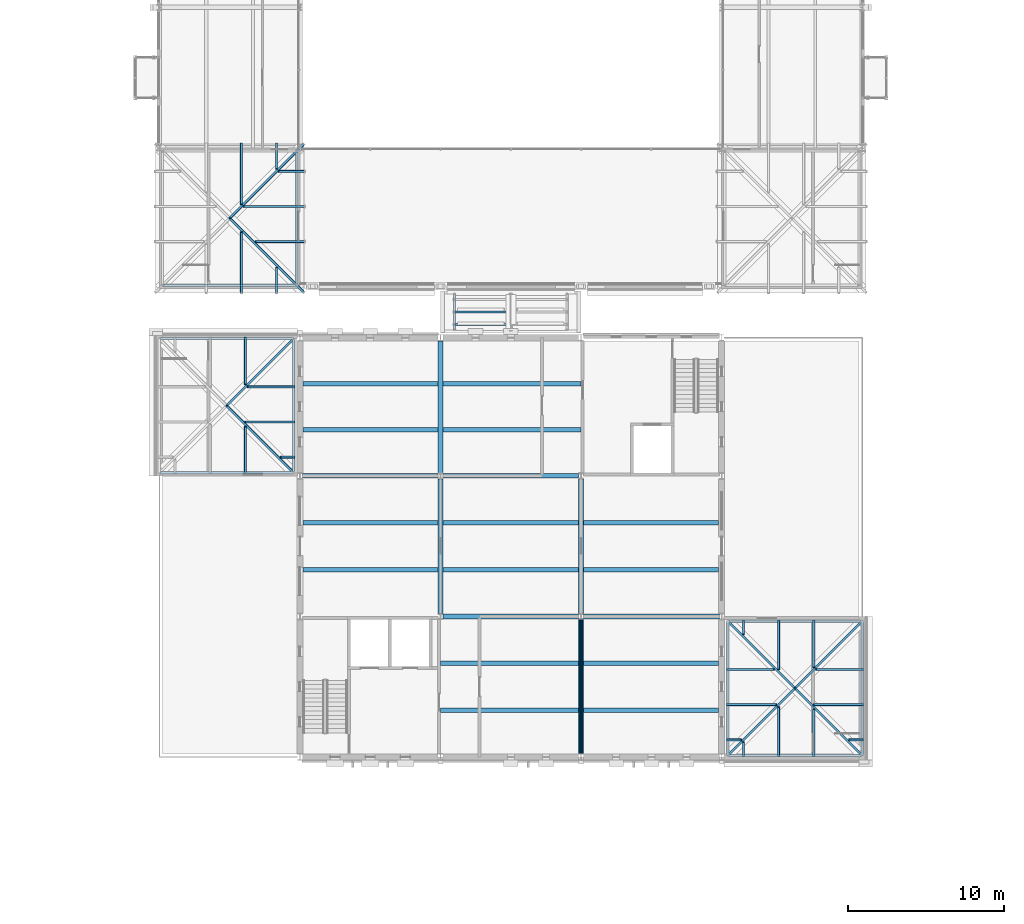
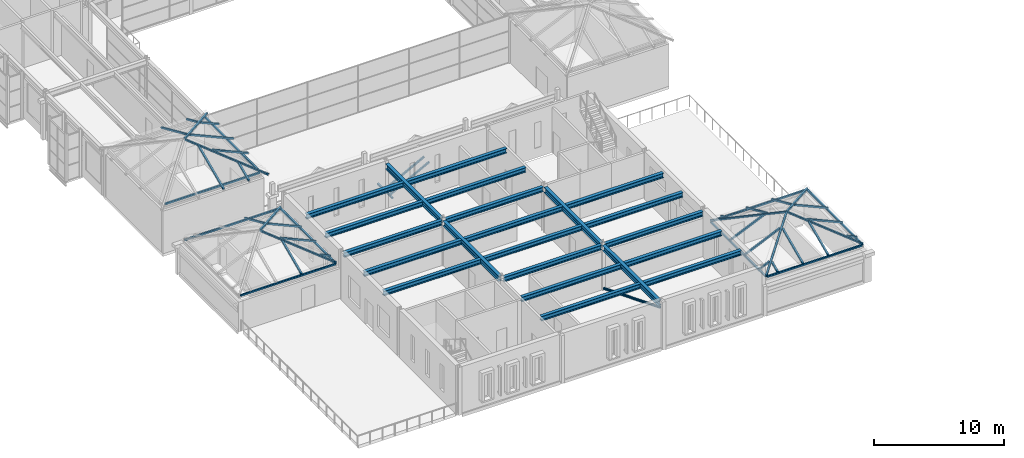
# One storey, part 17 of 149: 45 members, 22 beams.
"""IFC4 building model written with IfcOpenShell, lengths in metres."""

from ifc_helpers import new_model, si_unit, direction, frame, origin, origin_2d, place, context, subcontext, project, spatial, hollow_rectangle, hollow_circle, i_section, extrude, material, material_profile, profile_set, type_object, element, save


model = new_model("IFC4")

# Units and contexts
model_context = context("Model", 3, precision=1e-05, world=origin(), true_north=direction((0.0, 1.0)))
body_context = subcontext(model_context, "Body", "Model", "MODEL_VIEW")
ifc_project = project(units=[si_unit("LENGTHUNIT", "METRE"), si_unit("AREAUNIT", "SQUARE_METRE"), si_unit("VOLUMEUNIT", "CUBIC_METRE"), si_unit("PLANEANGLEUNIT", "RADIAN"), si_unit("MASSUNIT", "GRAM", prefix="KILO")], contexts=[model_context])

# Site, building, storey
site_placement = place(None, origin())
site = spatial("IfcSite", under=ifc_project, at=site_placement, CompositionType="ELEMENT")
building_placement = place(site_placement, origin())
building = spatial("IfcBuilding", under=site, at=building_placement, Name="Kallimachos Central Library", CompositionType="ELEMENT")
storey_placement = place(building_placement, frame((0.0, 0.0, 9.89990234375)))
storey = spatial("IfcBuildingStorey", under=building, at=storey_placement, Name="L02", CompositionType="ELEMENT", Elevation=9.89990234375)

# Member
ifc_material_1 = material(Name="Steel S355J2H", Category="steel")
ifc_material_profile_1 = material_profile(ifc_material_1, hollow_circle(Radius=0.109619140625, WallThickness=0.012451171875, at=origin_2d()), Name="CHS 219.1x12.5")
ifc_profile_set_1 = profile_set([ifc_material_profile_1], Name="Steel S355J2H")
member_type_1 = type_object("IfcMemberType", Name="CHS 219.1x12.5 brace", PredefinedType="BRACE", material=ifc_profile_set_1)
member_1_placement = place(storey_placement, frame((92.5, 26.8115234375, 0.150146484375), z_axis=(0.0, -0.928278728092, 0.371885201334), x_axis=(1.0, 0.0, 0.0)))
element("IfcMember", 1, at=member_1_placement, inside=storey, type_object=member_type_1, Name="V5-MEM-L02-041", PredefinedType="BRACE", context=body_context, shape_type="SweptSolid", body=[
    extrude(hollow_circle(Radius=0.109619140625, WallThickness=0.012451171875, at=origin_2d()), origin(), (0.0, 0.0, 1.0), 9.27685546875),
])

# Beams
ifc_material_2 = material(Name="Steel S355J2", Category="steel")
ifc_material_profile_2 = material_profile(ifc_material_2, i_section(OverallWidth=0.300048828125, OverallDepth=0.43994140625, WebThickness=0.011474609375, FlangeThickness=0.02099609375, FilletRadius=0.027099609375, at=origin_2d()), Name="HEA 450")
ifc_profile_set_2 = profile_set([ifc_material_profile_2], Name="Steel S355J2")
beam_type_1 = type_object("IfcBeamType", Name="HEA 450 beam", PredefinedType="BEAM", material=ifc_profile_set_2)
beam_1_placement = place(storey_placement, frame((83.654541015625, 27.0, 4.030029296875), z_axis=(1.0, 0.0, 0.0), x_axis=(0.0, 1.0, 0.0)))
element("IfcBeam", 2, at=beam_1_placement, inside=storey, type_object=beam_type_1, Name="V5-BEM-L02-001", PredefinedType="BEAM", context=body_context, shape_type="SweptSolid", body=[
    extrude(i_section(OverallWidth=0.300048828125, OverallDepth=0.43994140625, WebThickness=0.011474609375, FlangeThickness=0.02099609375, FilletRadius=0.027099609375, at=origin_2d()), origin(), (0.0, 0.0, 1.0), 8.69091796875),
])
for number, where, z_axis, x_axis, name in (
    (3, (92.654541015625, 27.0, 4.030029296875), (1.0, 0.0, 0.0), (0.0, 1.0, 0.0), "V5-BEM-L02-002"),
    (4, (74.64990234375, 36.0, 4.030029296875), (1.0, 0.0, 0.0), (0.0, 1.0, 0.0), "V5-BEM-L02-003"),
):
    element("IfcBeam", number, at=place(storey_placement, frame(where, z_axis=z_axis, x_axis=x_axis)), inside=storey, type_object=beam_type_1, Name=name, PredefinedType="BEAM", context=body_context, shape_type="SweptSolid", body=[
        extrude(i_section(OverallWidth=0.300048828125, OverallDepth=0.43994140625, WebThickness=0.011474609375, FlangeThickness=0.02099609375, FilletRadius=0.027099609375, at=origin_2d()), origin(), (0.0, 0.0, 1.0), 8.695556640625),
    ])
beam_2_placement = place(storey_placement, frame((83.654541015625, 36.0, 4.030029296875), z_axis=(1.0, 0.0, 0.0), x_axis=(0.0, 1.0, 0.0)))
element("IfcBeam", 5, at=beam_2_placement, inside=storey, type_object=beam_type_1, Name="V5-BEM-L02-004", PredefinedType="BEAM", context=body_context, shape_type="SweptSolid", body=[
    extrude(i_section(OverallWidth=0.300048828125, OverallDepth=0.43994140625, WebThickness=0.011474609375, FlangeThickness=0.02099609375, FilletRadius=0.027099609375, at=origin_2d()), origin(), (0.0, 0.0, 1.0), 8.69091796875),
])
for number, where, z_axis, x_axis, name in (
    (6, (74.699951171875, 30.0, 4.030029296875), (1.0, 0.0, 0.0), (0.0, 1.0, 0.0), "V5-BEM-L02-009"),
    (7, (74.699951171875, 33.0, 4.030029296875), (1.0, 0.0, 0.0), (0.0, 1.0, 0.0), "V5-BEM-L02-010"),
    (8, (74.699951171875, 38.949951171875, 4.030029296875), (1.0, 0.0, 0.0), (0.0, 1.0, 0.0), "V5-BEM-L02-011"),
    (9, (74.699951171875, 41.89990234375, 4.030029296875), (1.0, 0.0, 0.0), (0.0, 1.0, 0.0), "V5-BEM-L02-012"),
):
    element("IfcBeam", number, at=place(storey_placement, frame(where, z_axis=z_axis, x_axis=x_axis)), inside=storey, type_object=beam_type_1, Name=name, PredefinedType="BEAM", context=body_context, shape_type="SweptSolid", body=[
        extrude(i_section(OverallWidth=0.300048828125, OverallDepth=0.43994140625, WebThickness=0.011474609375, FlangeThickness=0.02099609375, FilletRadius=0.027099609375, at=origin_2d()), origin(), (0.0, 0.0, 1.0), 8.650146484375),
    ])
for number, where, z_axis, x_axis, name in (
    (10, (83.5, 21.0, 4.030029296875), (1.0, 0.0, 0.0), (0.0, 1.0, 0.0), "V5-BEM-L02-013"),
    (11, (83.5, 24.0, 4.030029296875), (1.0, 0.0, 0.0), (0.0, 1.0, 0.0), "V5-BEM-L02-014"),
):
    element("IfcBeam", number, at=place(storey_placement, frame(where, z_axis=z_axis, x_axis=x_axis)), inside=storey, type_object=beam_type_1, Name=name, PredefinedType="BEAM", context=body_context, shape_type="SweptSolid", body=[
        extrude(i_section(OverallWidth=0.300048828125, OverallDepth=0.43994140625, WebThickness=0.011474609375, FlangeThickness=0.02099609375, FilletRadius=0.027099609375, at=origin_2d()), origin(), (0.0, 0.0, 1.0), 8.85009765625),
    ])
for number, where, z_axis, x_axis, name in (
    (12, (83.64990234375, 30.0, 4.030029296875), (1.0, 0.0, 0.0), (0.0, 1.0, 0.0), "V5-BEM-L02-015"),
    (13, (83.64990234375, 33.0, 4.030029296875), (1.0, 0.0, 0.0), (0.0, 1.0, 0.0), "V5-BEM-L02-016"),
):
    element("IfcBeam", number, at=place(storey_placement, frame(where, z_axis=z_axis, x_axis=x_axis)), inside=storey, type_object=beam_type_1, Name=name, PredefinedType="BEAM", context=body_context, shape_type="SweptSolid", body=[
        extrude(i_section(OverallWidth=0.300048828125, OverallDepth=0.43994140625, WebThickness=0.011474609375, FlangeThickness=0.02099609375, FilletRadius=0.027099609375, at=origin_2d()), origin(), (0.0, 0.0, 1.0), 8.7001953125),
    ])
for number, where, z_axis, x_axis, name in (
    (14, (83.64990234375, 38.949951171875, 4.030029296875), (1.0, 0.0, 0.0), (0.0, 1.0, 0.0), "V5-BEM-L02-017"),
    (15, (83.64990234375, 41.89990234375, 4.030029296875), (1.0, 0.0, 0.0), (0.0, 1.0, 0.0), "V5-BEM-L02-018"),
):
    element("IfcBeam", number, at=place(storey_placement, frame(where, z_axis=z_axis, x_axis=x_axis)), inside=storey, type_object=beam_type_1, Name=name, PredefinedType="BEAM", context=body_context, shape_type="SweptSolid", body=[
        extrude(i_section(OverallWidth=0.300048828125, OverallDepth=0.43994140625, WebThickness=0.011474609375, FlangeThickness=0.02099609375, FilletRadius=0.027099609375, at=origin_2d()), origin(), (0.0, 0.0, 1.0), 8.85009765625),
    ])
for number, where, z_axis, x_axis, name in (
    (16, (92.64990234375, 21.0, 4.030029296875), (1.0, 0.0, 0.0), (0.0, 1.0, 0.0), "V5-BEM-L02-019"),
    (17, (92.64990234375, 24.0, 4.030029296875), (1.0, 0.0, 0.0), (0.0, 1.0, 0.0), "V5-BEM-L02-020"),
    (18, (92.64990234375, 30.0, 4.030029296875), (1.0, 0.0, 0.0), (0.0, 1.0, 0.0), "V5-BEM-L02-021"),
    (19, (92.64990234375, 33.0, 4.030029296875), (1.0, 0.0, 0.0), (0.0, 1.0, 0.0), "V5-BEM-L02-022"),
):
    element("IfcBeam", number, at=place(storey_placement, frame(where, z_axis=z_axis, x_axis=x_axis)), inside=storey, type_object=beam_type_1, Name=name, PredefinedType="BEAM", context=body_context, shape_type="SweptSolid", body=[
        extrude(i_section(OverallWidth=0.300048828125, OverallDepth=0.43994140625, WebThickness=0.011474609375, FlangeThickness=0.02099609375, FilletRadius=0.027099609375, at=origin_2d()), origin(), (0.0, 0.0, 1.0), 8.650146484375),
    ])
ifc_material_3 = material(Name="Steel S355J2", Category="steel")
ifc_material_profile_3 = material_profile(ifc_material_3, i_section(OverallWidth=0.300048828125, OverallDepth=0.5, WebThickness=0.014404296875, FlangeThickness=0.028076171875, FilletRadius=0.027099609375, at=origin_2d()), Name="HEB 500")
ifc_profile_set_3 = profile_set([ifc_material_profile_3], Name="Steel S355J2")
beam_type_2 = type_object("IfcBeamType", Name="HEB 500 beam", PredefinedType="BEAM", material=ifc_profile_set_3)
beam_3_placement = place(storey_placement, frame((83.5, 27.1884765625, 4.0), z_axis=(0.0, 1.0, 0.0), x_axis=(-1.0, 0.0, 0.0)))
element("IfcBeam", 20, at=beam_3_placement, inside=storey, type_object=beam_type_2, Name="V5-BEM-L02-005", PredefinedType="BEAM", context=body_context, shape_type="SweptSolid", body=[
    extrude(i_section(OverallWidth=0.300048828125, OverallDepth=0.5, WebThickness=0.014404296875, FlangeThickness=0.028076171875, FilletRadius=0.027099609375, at=origin_2d()), origin(), (0.0, 0.0, 1.0), 8.623046875),
])
beam_4_placement = place(storey_placement, frame((83.5, 36.1884765625, 4.0), z_axis=(0.0, 1.0, 0.0), x_axis=(-1.0, 0.0, 0.0)))
element("IfcBeam", 21, at=beam_4_placement, inside=storey, type_object=beam_type_2, Name="V5-BEM-L02-006", PredefinedType="BEAM", context=body_context, shape_type="SweptSolid", body=[
    extrude(i_section(OverallWidth=0.300048828125, OverallDepth=0.5, WebThickness=0.014404296875, FlangeThickness=0.028076171875, FilletRadius=0.027099609375, at=origin_2d()), origin(), (0.0, 0.0, 1.0), 8.46142578125),
])
beam_5_placement = place(storey_placement, frame((92.5, 18.199951171875, 4.0), z_axis=(0.0, 1.0, 0.0), x_axis=(-1.0, 0.0, 0.0)))
element("IfcBeam", 22, at=beam_5_placement, inside=storey, type_object=beam_type_2, Name="V5-BEM-L02-007", PredefinedType="BEAM", context=body_context, shape_type="SweptSolid", body=[
    extrude(i_section(OverallWidth=0.300048828125, OverallDepth=0.5, WebThickness=0.014404296875, FlangeThickness=0.028076171875, FilletRadius=0.027099609375, at=origin_2d()), origin(), (0.0, 0.0, 1.0), 8.611572265625),
])
beam_6_placement = place(storey_placement, frame((92.5, 27.1884765625, 4.0), z_axis=(0.0, 1.0, 0.0), x_axis=(-1.0, 0.0, 0.0)))
element("IfcBeam", 23, at=beam_6_placement, inside=storey, type_object=beam_type_2, Name="V5-BEM-L02-008", PredefinedType="BEAM", context=body_context, shape_type="SweptSolid", body=[
    extrude(i_section(OverallWidth=0.300048828125, OverallDepth=0.5, WebThickness=0.014404296875, FlangeThickness=0.028076171875, FilletRadius=0.027099609375, at=origin_2d()), origin(), (0.0, 0.0, 1.0), 8.623046875),
])

# Members
ifc_material_4 = material(Name="Steel S355J2H", Category="steel")
ifc_material_profile_4 = material_profile(ifc_material_4, hollow_rectangle(XDim=0.14990234375, YDim=0.14990234375, WallThickness=0.010009765625, InnerFilletRadius=0.010009765625, OuterFilletRadius=0.014892578125, at=origin_2d()), Name="SHS 150x150x10")
ifc_profile_set_4 = profile_set([ifc_material_profile_4], Name="Steel S355J2H")
member_type_2 = type_object("IfcMemberType", Name="SHS 150x150x10 eaves bearer", PredefinedType="STRINGER", material=ifc_profile_set_4)
for number, where, z_axis, x_axis, name in (
    (24, (65.574951171875, 36.199951171875, 3.22509765625), (1.0, 0.0, 0.0), (0.0, 1.0, 0.0), "West stair hipped roof eaves bearer S"),
    (25, (65.574951171875, 44.800048828125, 3.22509765625), (1.0, 0.0, 0.0), (0.0, 1.0, 0.0), "West stair hipped roof eaves bearer N"),
):
    element("IfcMember", number, at=place(storey_placement, frame(where, z_axis=z_axis, x_axis=x_axis)), inside=storey, type_object=member_type_2, Name=name, PredefinedType="STRINGER", context=body_context, shape_type="SweptSolid", body=[
        extrude(hollow_rectangle(XDim=0.14990234375, YDim=0.14990234375, WallThickness=0.010009765625, InnerFilletRadius=0.010009765625, OuterFilletRadius=0.014892578125, at=origin_2d()), origin(), (0.0, 0.0, 1.0), 8.449951171875),
    ])
member_2_placement = place(storey_placement, frame((74.10009765625, 36.27490234375, 3.22509765625), z_axis=(0.0, 1.0, 0.0), x_axis=(-1.0, 0.0, 0.0)))
element("IfcMember", 26, at=member_2_placement, inside=storey, type_object=member_type_2, Name="West stair hipped roof eaves bearer E", PredefinedType="STRINGER", context=body_context, shape_type="SweptSolid", body=[
    extrude(hollow_rectangle(XDim=0.14990234375, YDim=0.14990234375, WallThickness=0.010009765625, InnerFilletRadius=0.010009765625, OuterFilletRadius=0.014892578125, at=origin_2d()), origin(), (0.0, 0.0, 1.0), 8.4501953125),
])
for number, where, z_axis, x_axis, name in (
    (27, (101.97509765625, 18.10009765625, 3.22509765625), (1.0, 0.0, 0.0), (0.0, 1.0, 0.0), "East stair hipped roof eaves bearer S"),
    (28, (101.97509765625, 26.699951171875, 3.22509765625), (1.0, 0.0, 0.0), (0.0, 1.0, 0.0), "East stair hipped roof eaves bearer N"),
    (29, (101.89990234375, 18.175048828125, 3.22509765625), (0.0, 1.0, 0.0), (-1.0, 0.0, 0.0), "East stair hipped roof eaves bearer W"),
    (30, (110.5, 18.175048828125, 3.22509765625), (0.0, 1.0, 0.0), (-1.0, 0.0, 0.0), "East stair hipped roof eaves bearer E"),
):
    element("IfcMember", number, at=place(storey_placement, frame(where, z_axis=z_axis, x_axis=x_axis)), inside=storey, type_object=member_type_2, Name=name, PredefinedType="STRINGER", context=body_context, shape_type="SweptSolid", body=[
        extrude(hollow_rectangle(XDim=0.14990234375, YDim=0.14990234375, WallThickness=0.010009765625, InnerFilletRadius=0.010009765625, OuterFilletRadius=0.014892578125, at=origin_2d()), origin(), (0.0, 0.0, 1.0), 8.449951171875),
    ])
for number, where, z_axis, x_axis, name in (
    (31, (65.77490234375, 48.199951171875, 4.47509765625), (1.0, 0.0, 0.0), (0.0, 1.0, 0.0), "Head-house roof V4-SW eaves bearer S"),
    (32, (74.300048828125, 48.27490234375, 4.47509765625), (0.0, 1.0, 0.0), (-1.0, 0.0, 0.0), "Head-house roof V4-SW eaves bearer E"),
):
    element("IfcMember", number, at=place(storey_placement, frame(where, z_axis=z_axis, x_axis=x_axis)), inside=storey, type_object=member_type_2, Name=name, PredefinedType="STRINGER", context=body_context, shape_type="SweptSolid", body=[
        extrude(hollow_rectangle(XDim=0.14990234375, YDim=0.14990234375, WallThickness=0.010009765625, InnerFilletRadius=0.010009765625, OuterFilletRadius=0.014892578125, at=origin_2d()), origin(), (0.0, 0.0, 1.0), 8.4501953125),
    ])
member_3_placement = place(storey_placement, frame((84.39990234375, 45.375, 0.22509765625), z_axis=(0.0, 1.0, 0.0), x_axis=(-1.0, 0.0, 0.0)))
element("IfcMember", 33, at=member_3_placement, inside=storey, type_object=member_type_2, Name="Stacks Link roof eaves bearer W", PredefinedType="STRINGER", context=body_context, shape_type="SweptSolid", body=[
    extrude(hollow_rectangle(XDim=0.14990234375, YDim=0.14990234375, WallThickness=0.010009765625, InnerFilletRadius=0.010009765625, OuterFilletRadius=0.014892578125, at=origin_2d()), origin(), (0.0, 0.0, 1.0), 2.25),
])
ifc_material_5 = material(Name="Steel S355J2H", Category="steel")
ifc_material_profile_5 = material_profile(ifc_material_5, hollow_rectangle(XDim=0.14990234375, YDim=0.14990234375, WallThickness=0.010009765625, InnerFilletRadius=0.010009765625, OuterFilletRadius=0.014892578125, at=origin_2d()), Name="SHS 150x150x10")
ifc_profile_set_5 = profile_set([ifc_material_profile_5], Name="Steel S355J2H")
member_type_3 = type_object("IfcMemberType", Name="SHS 150x150x10 rafter", PredefinedType="RAFTER", material=ifc_profile_set_5)
for number, where, z_axis, x_axis, name in (
    (34, (71.0, 36.14990234375, 3.35986328125), (0.0, 0.913551637558, 0.406722762475), (-1.0, 0.0, 0.0), "West stair hipped roof rafter"),
    (35, (71.0, 44.85009765625, 3.35986328125), (0.0, -0.913551637558, 0.406722762475), (1.0, 0.0, 0.0), "West stair hipped roof rafter"),
):
    element("IfcMember", number, at=place(storey_placement, frame(where, z_axis=z_axis, x_axis=x_axis)), inside=storey, type_object=member_type_3, Name=name, PredefinedType="RAFTER", context=body_context, shape_type="SweptSolid", body=[
        extrude(hollow_rectangle(XDim=0.14990234375, YDim=0.14990234375, WallThickness=0.010009765625, InnerFilletRadius=0.010009765625, OuterFilletRadius=0.014892578125, at=origin_2d()), origin(), (0.0, 0.0, 1.0), 3.294921875),
    ])
member_4_placement = place(storey_placement, frame((74.14990234375, 37.199951171875, 3.35986328125), z_axis=(-0.913487827885, 0.0, 0.40686605696), x_axis=(0.0, -1.0, 0.0)))
element("IfcMember", 36, at=member_4_placement, inside=storey, type_object=member_type_3, Name="West stair hipped roof rafter", PredefinedType="RAFTER", context=body_context, shape_type="SweptSolid", body=[
    extrude(hollow_rectangle(XDim=0.14990234375, YDim=0.14990234375, WallThickness=0.010009765625, InnerFilletRadius=0.010009765625, OuterFilletRadius=0.014892578125, at=origin_2d()), origin(), (0.0, 0.0, 1.0), 0.99609375),
])
member_5_placement = place(storey_placement, frame((74.14990234375, 39.449951171875, 3.35986328125), z_axis=(-0.913534832457, 0.0, 0.406760506795), x_axis=(0.0, -1.0, 0.0)))
element("IfcMember", 37, at=member_5_placement, inside=storey, type_object=member_type_3, Name="West stair hipped roof rafter", PredefinedType="RAFTER", context=body_context, shape_type="SweptSolid", body=[
    extrude(hollow_rectangle(XDim=0.14990234375, YDim=0.14990234375, WallThickness=0.010009765625, InnerFilletRadius=0.010009765625, OuterFilletRadius=0.014892578125, at=origin_2d()), origin(), (0.0, 0.0, 1.0), 3.458984375),
])
member_6_placement = place(storey_placement, frame((74.14990234375, 41.699951171875, 3.35986328125), z_axis=(-0.913551637558, 0.0, 0.406722762475), x_axis=(0.0, -1.0, 0.0)))
element("IfcMember", 38, at=member_6_placement, inside=storey, type_object=member_type_3, Name="West stair hipped roof rafter", PredefinedType="RAFTER", context=body_context, shape_type="SweptSolid", body=[
    extrude(hollow_rectangle(XDim=0.14990234375, YDim=0.14990234375, WallThickness=0.010009765625, InnerFilletRadius=0.010009765625, OuterFilletRadius=0.014892578125, at=origin_2d()), origin(), (0.0, 0.0, 1.0), 3.294921875),
])
member_7_placement = place(storey_placement, frame((102.89990234375, 18.050048828125, 3.35986328125), z_axis=(0.0, 0.913487827885, 0.40686605696), x_axis=(-1.0, 0.0, 0.0)))
element("IfcMember", 39, at=member_7_placement, inside=storey, type_object=member_type_3, Name="East stair hipped roof rafter", PredefinedType="RAFTER", context=body_context, shape_type="SweptSolid", body=[
    extrude(hollow_rectangle(XDim=0.14990234375, YDim=0.14990234375, WallThickness=0.010009765625, InnerFilletRadius=0.010009765625, OuterFilletRadius=0.014892578125, at=origin_2d()), origin(), (0.0, 0.0, 1.0), 0.99609375),
])
member_8_placement = place(storey_placement, frame((105.14990234375, 18.050048828125, 3.35986328125), z_axis=(0.0, 0.913534832457, 0.406760506795), x_axis=(-1.0, 0.0, 0.0)))
element("IfcMember", 40, at=member_8_placement, inside=storey, type_object=member_type_3, Name="East stair hipped roof rafter", PredefinedType="RAFTER", context=body_context, shape_type="SweptSolid", body=[
    extrude(hollow_rectangle(XDim=0.14990234375, YDim=0.14990234375, WallThickness=0.010009765625, InnerFilletRadius=0.010009765625, OuterFilletRadius=0.014892578125, at=origin_2d()), origin(), (0.0, 0.0, 1.0), 3.458984375),
])
member_9_placement = place(storey_placement, frame((107.39990234375, 18.050048828125, 3.35986328125), z_axis=(0.0, 0.913551637558, 0.406722762475), x_axis=(-1.0, 0.0, 0.0)))
element("IfcMember", 41, at=member_9_placement, inside=storey, type_object=member_type_3, Name="East stair hipped roof rafter", PredefinedType="RAFTER", context=body_context, shape_type="SweptSolid", body=[
    extrude(hollow_rectangle(XDim=0.14990234375, YDim=0.14990234375, WallThickness=0.010009765625, InnerFilletRadius=0.010009765625, OuterFilletRadius=0.014892578125, at=origin_2d()), origin(), (0.0, 0.0, 1.0), 3.294921875),
])
member_10_placement = place(storey_placement, frame((102.89990234375, 26.75, 3.35986328125), z_axis=(0.0, -0.913487827885, 0.40686605696), x_axis=(1.0, 0.0, 0.0)))
element("IfcMember", 42, at=member_10_placement, inside=storey, type_object=member_type_3, Name="East stair hipped roof rafter", PredefinedType="RAFTER", context=body_context, shape_type="SweptSolid", body=[
    extrude(hollow_rectangle(XDim=0.14990234375, YDim=0.14990234375, WallThickness=0.010009765625, InnerFilletRadius=0.010009765625, OuterFilletRadius=0.014892578125, at=origin_2d()), origin(), (0.0, 0.0, 1.0), 0.99609375),
])
member_11_placement = place(storey_placement, frame((105.14990234375, 26.75, 3.35986328125), z_axis=(0.0, -0.913534832457, 0.406760506795), x_axis=(1.0, 0.0, 0.0)))
element("IfcMember", 43, at=member_11_placement, inside=storey, type_object=member_type_3, Name="East stair hipped roof rafter", PredefinedType="RAFTER", context=body_context, shape_type="SweptSolid", body=[
    extrude(hollow_rectangle(XDim=0.14990234375, YDim=0.14990234375, WallThickness=0.010009765625, InnerFilletRadius=0.010009765625, OuterFilletRadius=0.014892578125, at=origin_2d()), origin(), (0.0, 0.0, 1.0), 3.458984375),
])
member_12_placement = place(storey_placement, frame((107.39990234375, 26.75, 3.35986328125), z_axis=(0.0, -0.913551637558, 0.406722762475), x_axis=(1.0, 0.0, 0.0)))
element("IfcMember", 44, at=member_12_placement, inside=storey, type_object=member_type_3, Name="East stair hipped roof rafter", PredefinedType="RAFTER", context=body_context, shape_type="SweptSolid", body=[
    extrude(hollow_rectangle(XDim=0.14990234375, YDim=0.14990234375, WallThickness=0.010009765625, InnerFilletRadius=0.010009765625, OuterFilletRadius=0.014892578125, at=origin_2d()), origin(), (0.0, 0.0, 1.0), 3.294921875),
])
member_13_placement = place(storey_placement, frame((101.85009765625, 19.10009765625, 3.35986328125), z_axis=(0.913487827885, 0.0, 0.40686605696), x_axis=(0.0, 1.0, 0.0)))
element("IfcMember", 45, at=member_13_placement, inside=storey, type_object=member_type_3, Name="East stair hipped roof rafter", PredefinedType="RAFTER", context=body_context, shape_type="SweptSolid", body=[
    extrude(hollow_rectangle(XDim=0.14990234375, YDim=0.14990234375, WallThickness=0.010009765625, InnerFilletRadius=0.010009765625, OuterFilletRadius=0.014892578125, at=origin_2d()), origin(), (0.0, 0.0, 1.0), 0.99609375),
])
member_14_placement = place(storey_placement, frame((101.85009765625, 21.35009765625, 3.35986328125), z_axis=(0.913534832457, 0.0, 0.406760506795), x_axis=(0.0, 1.0, 0.0)))
element("IfcMember", 46, at=member_14_placement, inside=storey, type_object=member_type_3, Name="East stair hipped roof rafter", PredefinedType="RAFTER", context=body_context, shape_type="SweptSolid", body=[
    extrude(hollow_rectangle(XDim=0.14990234375, YDim=0.14990234375, WallThickness=0.010009765625, InnerFilletRadius=0.010009765625, OuterFilletRadius=0.014892578125, at=origin_2d()), origin(), (0.0, 0.0, 1.0), 3.458984375),
])
member_15_placement = place(storey_placement, frame((101.85009765625, 23.60009765625, 3.35986328125), z_axis=(0.913551637558, 0.0, 0.406722762475), x_axis=(0.0, 1.0, 0.0)))
element("IfcMember", 47, at=member_15_placement, inside=storey, type_object=member_type_3, Name="East stair hipped roof rafter", PredefinedType="RAFTER", context=body_context, shape_type="SweptSolid", body=[
    extrude(hollow_rectangle(XDim=0.14990234375, YDim=0.14990234375, WallThickness=0.010009765625, InnerFilletRadius=0.010009765625, OuterFilletRadius=0.014892578125, at=origin_2d()), origin(), (0.0, 0.0, 1.0), 3.294921875),
])
member_16_placement = place(storey_placement, frame((110.550048828125, 19.10009765625, 3.35986328125), z_axis=(-0.913528388119, 0.0, 0.406774979688), x_axis=(0.0, -1.0, 0.0)))
element("IfcMember", 48, at=member_16_placement, inside=storey, type_object=member_type_3, Name="East stair hipped roof rafter", PredefinedType="RAFTER", context=body_context, shape_type="SweptSolid", body=[
    extrude(hollow_rectangle(XDim=0.14990234375, YDim=0.14990234375, WallThickness=0.010009765625, InnerFilletRadius=0.010009765625, OuterFilletRadius=0.014892578125, at=origin_2d()), origin(), (0.0, 0.0, 1.0), 0.996337890625),
])
member_17_placement = place(storey_placement, frame((110.550048828125, 21.35009765625, 3.35986328125), z_axis=(-0.913546509307, 0.0, 0.40673428099), x_axis=(0.0, -1.0, 0.0)))
element("IfcMember", 49, at=member_17_placement, inside=storey, type_object=member_type_3, Name="East stair hipped roof rafter", PredefinedType="RAFTER", context=body_context, shape_type="SweptSolid", body=[
    extrude(hollow_rectangle(XDim=0.14990234375, YDim=0.14990234375, WallThickness=0.010009765625, InnerFilletRadius=0.010009765625, OuterFilletRadius=0.014892578125, at=origin_2d()), origin(), (0.0, 0.0, 1.0), 3.459228515625),
])
member_18_placement = place(storey_placement, frame((110.550048828125, 23.60009765625, 3.35986328125), z_axis=(-0.913551637558, 0.0, 0.406722762475), x_axis=(0.0, -1.0, 0.0)))
element("IfcMember", 50, at=member_18_placement, inside=storey, type_object=member_type_3, Name="East stair hipped roof rafter", PredefinedType="RAFTER", context=body_context, shape_type="SweptSolid", body=[
    extrude(hollow_rectangle(XDim=0.14990234375, YDim=0.14990234375, WallThickness=0.010009765625, InnerFilletRadius=0.010009765625, OuterFilletRadius=0.014892578125, at=origin_2d()), origin(), (0.0, 0.0, 1.0), 3.294921875),
])
member_19_placement = place(storey_placement, frame((70.75, 47.699951171875, 4.40966796875), z_axis=(0.0, 0.913562044368, 0.406699386635), x_axis=(-1.0, 0.0, 0.0)))
element("IfcMember", 51, at=member_19_placement, inside=storey, type_object=member_type_3, Name="Head-house roof V4-SW rafter", PredefinedType="RAFTER", context=body_context, shape_type="SweptSolid", body=[
    extrude(hollow_rectangle(XDim=0.14990234375, YDim=0.14990234375, WallThickness=0.010009765625, InnerFilletRadius=0.010009765625, OuterFilletRadius=0.014892578125, at=origin_2d()), origin(), (0.0, 0.0, 1.0), 4.280029296875),
])
member_20_placement = place(storey_placement, frame((73.0, 47.699951171875, 4.40966796875), z_axis=(0.0, 0.913573164334, 0.406674407123), x_axis=(-1.0, 0.0, 0.0)))
element("IfcMember", 52, at=member_20_placement, inside=storey, type_object=member_type_3, Name="Head-house roof V4-SW rafter", PredefinedType="RAFTER", context=body_context, shape_type="SweptSolid", body=[
    extrude(hollow_rectangle(XDim=0.14990234375, YDim=0.14990234375, WallThickness=0.010009765625, InnerFilletRadius=0.010009765625, OuterFilletRadius=0.014892578125, at=origin_2d()), origin(), (0.0, 0.0, 1.0), 1.817138671875),
])
member_21_placement = place(storey_placement, frame((70.75, 57.300048828125, 4.40966796875), z_axis=(0.0, -0.913562044368, 0.406699386635), x_axis=(1.0, 0.0, 0.0)))
element("IfcMember", 53, at=member_21_placement, inside=storey, type_object=member_type_3, Name="Head-house roof V4-SW rafter", PredefinedType="RAFTER", context=body_context, shape_type="SweptSolid", body=[
    extrude(hollow_rectangle(XDim=0.14990234375, YDim=0.14990234375, WallThickness=0.010009765625, InnerFilletRadius=0.010009765625, OuterFilletRadius=0.014892578125, at=origin_2d()), origin(), (0.0, 0.0, 1.0), 4.280029296875),
])
member_22_placement = place(storey_placement, frame((73.0, 57.300048828125, 4.40966796875), z_axis=(0.0, -0.913573164334, 0.406674407123), x_axis=(1.0, 0.0, 0.0)))
element("IfcMember", 54, at=member_22_placement, inside=storey, type_object=member_type_3, Name="Head-house roof V4-SW rafter", PredefinedType="RAFTER", context=body_context, shape_type="SweptSolid", body=[
    extrude(hollow_rectangle(XDim=0.14990234375, YDim=0.14990234375, WallThickness=0.010009765625, InnerFilletRadius=0.010009765625, OuterFilletRadius=0.014892578125, at=origin_2d()), origin(), (0.0, 0.0, 1.0), 1.817138671875),
])
member_23_placement = place(storey_placement, frame((74.800048828125, 51.0, 4.40966796875), z_axis=(-0.913572732443, 0.0, 0.406675377343), x_axis=(0.0, -1.0, 0.0)))
element("IfcMember", 55, at=member_23_placement, inside=storey, type_object=member_type_3, Name="Head-house roof V4-SW rafter", PredefinedType="RAFTER", context=body_context, shape_type="SweptSolid", body=[
    extrude(hollow_rectangle(XDim=0.14990234375, YDim=0.14990234375, WallThickness=0.010009765625, InnerFilletRadius=0.010009765625, OuterFilletRadius=0.014892578125, at=origin_2d()), origin(), (0.0, 0.0, 1.0), 3.459228515625),
])
member_24_placement = place(storey_placement, frame((74.800048828125, 53.25, 4.40966796875), z_axis=(-0.913562044368, 0.0, 0.406699386635), x_axis=(0.0, -1.0, 0.0)))
element("IfcMember", 56, at=member_24_placement, inside=storey, type_object=member_type_3, Name="Head-house roof V4-SW rafter", PredefinedType="RAFTER", context=body_context, shape_type="SweptSolid", body=[
    extrude(hollow_rectangle(XDim=0.14990234375, YDim=0.14990234375, WallThickness=0.010009765625, InnerFilletRadius=0.010009765625, OuterFilletRadius=0.014892578125, at=origin_2d()), origin(), (0.0, 0.0, 1.0), 4.280029296875),
])
member_25_placement = place(storey_placement, frame((74.800048828125, 55.5, 4.40966796875), z_axis=(-0.913573164334, 0.0, 0.406674407123), x_axis=(0.0, -1.0, 0.0)))
element("IfcMember", 57, at=member_25_placement, inside=storey, type_object=member_type_3, Name="Head-house roof V4-SW rafter", PredefinedType="RAFTER", context=body_context, shape_type="SweptSolid", body=[
    extrude(hollow_rectangle(XDim=0.14990234375, YDim=0.14990234375, WallThickness=0.010009765625, InnerFilletRadius=0.010009765625, OuterFilletRadius=0.014892578125, at=origin_2d()), origin(), (0.0, 0.0, 1.0), 1.817138671875),
])
for number, where, z_axis, x_axis, name in (
    (58, (84.35009765625, 45.699951171875, 0.3583984375), (0.88293197462, 0.0, 0.469500935242), (0.0, 1.0, 0.0), "Stacks Link roof rafter"),
    (59, (84.35009765625, 46.5, 0.3583984375), (0.88293197462, 0.0, 0.469500935242), (0.0, 1.0, 0.0), "Stacks Link roof rafter"),
):
    element("IfcMember", number, at=place(storey_placement, frame(where, z_axis=z_axis, x_axis=x_axis)), inside=storey, type_object=member_type_3, Name=name, PredefinedType="RAFTER", context=body_context, shape_type="SweptSolid", body=[
        extrude(hollow_rectangle(XDim=0.14990234375, YDim=0.14990234375, WallThickness=0.010009765625, InnerFilletRadius=0.010009765625, OuterFilletRadius=0.014892578125, at=origin_2d()), origin(), (0.0, 0.0, 1.0), 3.975341796875),
    ])
ifc_material_6 = material(Name="Steel S355J2H", Category="steel")
ifc_material_profile_6 = material_profile(ifc_material_6, hollow_rectangle(XDim=0.14990234375, YDim=0.14990234375, WallThickness=0.010009765625, InnerFilletRadius=0.010009765625, OuterFilletRadius=0.014892578125, at=origin_2d()), Name="SHS 150x150x10")
ifc_profile_set_6 = profile_set([ifc_material_profile_6], Name="Steel S355J2H")
member_type_4 = type_object("IfcMemberType", Name="SHS 200x200x10 hip rafter", PredefinedType="RAFTER", material=ifc_profile_set_6)
for number, where, z_axis, x_axis, name in (
    (60, (74.10009765625, 36.199951171875, 3.33203125), (-0.674477760092, 0.674477760092, 0.300265719462), (-0.707106781187, -0.707106781187, 0.0), "West stair hipped roof hip"),
    (61, (74.10009765625, 44.800048828125, 3.33203125), (-0.674477760092, -0.674477760092, 0.300265719462), (0.707106781187, -0.707106781187, 0.0), "West stair hipped roof hip"),
):
    element("IfcMember", number, at=place(storey_placement, frame(where, z_axis=z_axis, x_axis=x_axis)), inside=storey, type_object=member_type_4, Name=name, PredefinedType="RAFTER", context=body_context, shape_type="SweptSolid", body=[
        extrude(hollow_rectangle(XDim=0.14990234375, YDim=0.14990234375, WallThickness=0.010009765625, InnerFilletRadius=0.010009765625, OuterFilletRadius=0.014892578125, at=origin_2d()), origin(), (0.0, 0.0, 1.0), 6.37548828125),
    ])
for number, where, z_axis, x_axis, name in (
    (62, (101.89990234375, 18.10009765625, 3.33203125), (0.674495181131, 0.674456885827, 0.300273475004), (-0.707086706898, 0.707126854905, 0.0), "East stair hipped roof hip"),
    (63, (110.5, 18.10009765625, 3.33203125), (-0.674495181131, 0.674456885827, 0.300273475004), (-0.707086706898, -0.707126854905, 0.0), "East stair hipped roof hip"),
):
    element("IfcMember", number, at=place(storey_placement, frame(where, z_axis=z_axis, x_axis=x_axis)), inside=storey, type_object=member_type_4, Name=name, PredefinedType="RAFTER", context=body_context, shape_type="SweptSolid", body=[
        extrude(hollow_rectangle(XDim=0.14990234375, YDim=0.14990234375, WallThickness=0.010009765625, InnerFilletRadius=0.010009765625, OuterFilletRadius=0.014892578125, at=origin_2d()), origin(), (0.0, 0.0, 1.0), 6.375244140625),
    ])
for number, where, z_axis, x_axis, name in (
    (64, (101.89990234375, 26.699951171875, 3.33203125), (0.674477760092, -0.674477760092, 0.300265719462), (0.707106781187, 0.707106781187, 0.0), "East stair hipped roof hip"),
    (65, (110.5, 26.699951171875, 3.33203125), (-0.674477760092, -0.674477760092, 0.300265719462), (0.707106781187, -0.707106781187, 0.0), "East stair hipped roof hip"),
):
    element("IfcMember", number, at=place(storey_placement, frame(where, z_axis=z_axis, x_axis=x_axis)), inside=storey, type_object=member_type_4, Name=name, PredefinedType="RAFTER", context=body_context, shape_type="SweptSolid", body=[
        extrude(hollow_rectangle(XDim=0.14990234375, YDim=0.14990234375, WallThickness=0.010009765625, InnerFilletRadius=0.010009765625, OuterFilletRadius=0.014892578125, at=origin_2d()), origin(), (0.0, 0.0, 1.0), 6.37548828125),
    ])
for number, where, z_axis, x_axis, name in (
    (66, (74.75, 47.75, 4.381591796875), (-0.674474048899, 0.674474048899, 0.300282391631), (-0.707106781187, -0.707106781187, 0.0), "Head-house roof V4-SW hip"),
    (67, (74.75, 57.25, 4.381591796875), (-0.674474048899, -0.674474048899, 0.300282391631), (0.707106781187, -0.707106781187, 0.0), "Head-house roof V4-SW hip"),
):
    element("IfcMember", number, at=place(storey_placement, frame(where, z_axis=z_axis, x_axis=x_axis)), inside=storey, type_object=member_type_4, Name=name, PredefinedType="RAFTER", context=body_context, shape_type="SweptSolid", body=[
        extrude(hollow_rectangle(XDim=0.14990234375, YDim=0.14990234375, WallThickness=0.010009765625, InnerFilletRadius=0.010009765625, OuterFilletRadius=0.014892578125, at=origin_2d()), origin(), (0.0, 0.0, 1.0), 7.04248046875),
    ])

save(model, "model.ifc")
